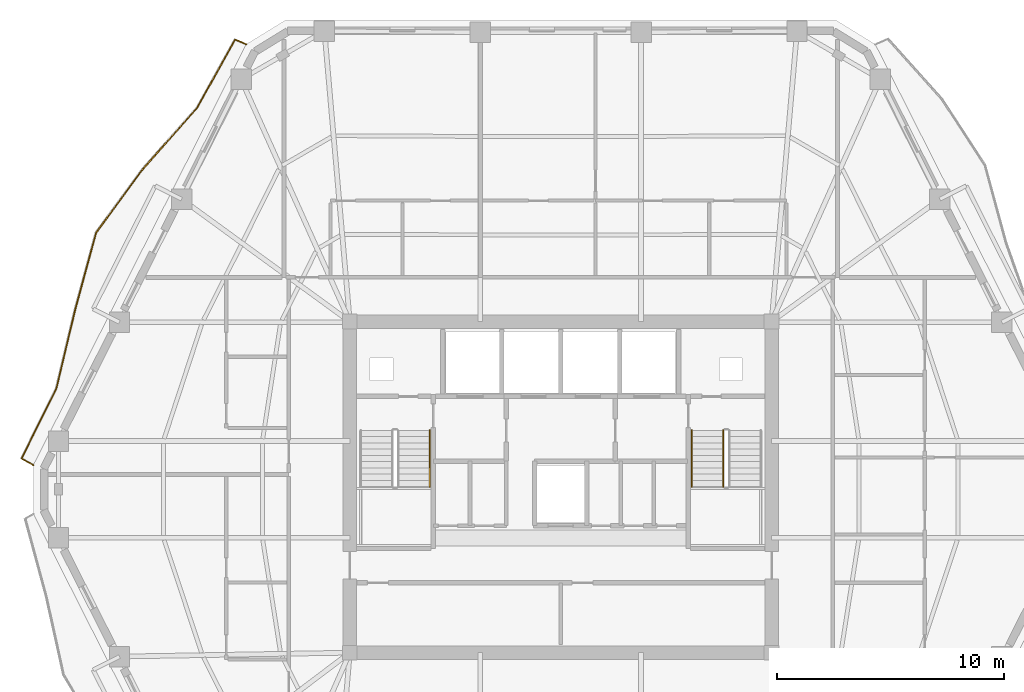
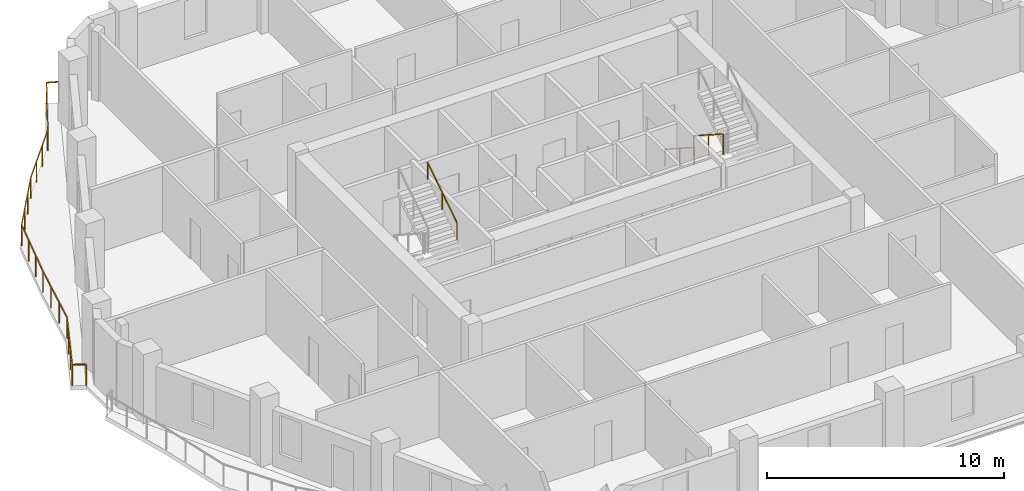
# One storey, part 10 of 12: 4 railings.
"""IFC4 building model written with IfcOpenShell, lengths in metres."""

import ifcopenshell
import ifcopenshell.guid

model = None  # the IFC model being written
_history = None  # IfcOwnerHistory: only IFC2X3 demands one
_inside = {}  # id of a spatial element -> (the spatial element, [elements in it])
_under = {}  # id of a project, library or spatial element -> (it, [spatial elements below it])
_declared = {}  # id of a project -> (the project, [libraries it declares])
_typed = {}  # id of a type object -> (the type object, [elements of that type])
_made_of = {}  # id of a material, layer set ... -> (it, [elements and type objects made of it])


def new_model(schema):
    """Start an empty IFC model of exactly this schema.

    Asked for "IFC4X3", IfcOpenShell would pick the latest addendum, in which some entities
    have other attributes; the version numbers below select the first issue.
    IFC2X3 requires an IfcOwnerHistory on every rooted entity: one is made here for all.
    """
    global model, _history
    if schema == "IFC4X3":
        model = ifcopenshell.file(schema_version=(4, 3, 0, 0))
    else:
        model = ifcopenshell.file(schema=schema)
    _inside.clear()
    _under.clear()
    _declared.clear()
    _typed.clear()
    _made_of.clear()
    _history = None
    if model.schema == "IFC2X3":
        org = make("IfcOrganization", Name="unknown")
        user = make(
            "IfcPersonAndOrganization",
            ThePerson=make("IfcPerson", FamilyName="unknown"),
            TheOrganization=org,
        )
        app = make(
            "IfcApplication",
            ApplicationDeveloper=org,
            Version="unknown",
            ApplicationFullName="unknown",
            ApplicationIdentifier="unknown",
        )
        _history = make(
            "IfcOwnerHistory",
            OwningUser=user,
            OwningApplication=app,
            ChangeAction="ADDED",
            CreationDate=0,
        )
    return model


def make(cls, **values):
    """One entity of the class cls with the attributes given. An attribute that is None is left unset."""
    return model.create_entity(
        cls, **{name: value for name, value in values.items() if value is not None}
    )


def rooted(cls, **values):
    """An entity with a GlobalId (a new one), such as an element, a storey or a relation."""
    return make(cls, GlobalId=ifcopenshell.guid.new(), OwnerHistory=_history, **values)


def si_unit(unit_type, name, prefix=None):
    """IfcSIUnit, for example si_unit("LENGTHUNIT", "METRE", prefix="MILLI")."""
    return make("IfcSIUnit", UnitType=unit_type, Prefix=prefix, Name=name)


def assignment(units):
    """IfcUnitAssignment: the units of a project."""
    return None if units is None else make("IfcUnitAssignment", Units=units)


def point(xyz):
    """IfcCartesianPoint."""
    return None if xyz is None else make("IfcCartesianPoint", Coordinates=xyz)


def direction(xyz):
    """IfcDirection."""
    return None if xyz is None else make("IfcDirection", DirectionRatios=xyz)


def frame(location, z_axis=None, x_axis=None):
    """IfcAxis2Placement3D, a coordinate frame: its origin and axes. An axis left out is left unset."""
    return make(
        "IfcAxis2Placement3D",
        Location=point(location),
        Axis=direction(z_axis),
        RefDirection=direction(x_axis),
    )


def frame_2d(location, x_axis=None):
    """IfcAxis2Placement2D, a coordinate frame in the plane: its origin and x axis."""
    return make(
        "IfcAxis2Placement2D", Location=point(location), RefDirection=direction(x_axis)
    )


def origin():
    """The frame at (0, 0, 0) with its axes left unset."""
    return frame((0.0, 0.0, 0.0))


def origin_2d():
    """The frame at (0, 0) in the plane with its x axis left unset."""
    return frame_2d((0.0, 0.0))


def place(relative_to, where):
    """IfcLocalPlacement: puts the frame where relative to a parent placement (None: the world)."""
    return make(
        "IfcLocalPlacement", PlacementRelTo=relative_to, RelativePlacement=where
    )


def context(
    kind, dimensions, precision=None, world=None, true_north=None, identifier=None
):
    """IfcGeometricRepresentationContext, for example the 3D "Model" context."""
    return make(
        "IfcGeometricRepresentationContext",
        ContextIdentifier=identifier,
        ContextType=kind,
        CoordinateSpaceDimension=dimensions,
        Precision=precision,
        WorldCoordinateSystem=world,
        TrueNorth=true_north,
    )


def subcontext(parent, identifier, kind, view, scale=None):
    """IfcGeometricRepresentationSubContext, for example "Body" below "Model"."""
    return make(
        "IfcGeometricRepresentationSubContext",
        ContextIdentifier=identifier,
        ContextType=kind,
        ParentContext=parent,
        TargetScale=scale,
        TargetView=view,
    )


def project(units=None, contexts=None):
    """IfcProject with its units and contexts."""
    return rooted(
        "IfcProject",
        Name="project",
        RepresentationContexts=contexts,
        UnitsInContext=assignment(units),
    )


def spatial(cls, under=None, at=None, **own):
    """A site, building, storey or space (cls), placed at a placement, below another one or the project."""
    s = rooted(cls, ObjectPlacement=at, **own)
    if under is not None:
        _under.setdefault(under.id(), (under, []))[1].append(s)
    return s


def profile(cls, at=None, kind="AREA", **sizes):
    """A parametric profile (cls). Its sizes go by their IFC names, for example OverallWidth=200.0."""
    return make(cls, ProfileType=kind, Position=at, **sizes)


def rectangle(**sizes):
    """IfcRectangleProfileDef."""
    return profile("IfcRectangleProfileDef", **sizes)


def extrude(swept, where, along, depth):
    """IfcExtrudedAreaSolid: the profile swept, set in the frame where, extruded along a direction by depth."""
    return make(
        "IfcExtrudedAreaSolid",
        SweptArea=swept,
        Position=where,
        ExtrudedDirection=direction(along),
        Depth=depth,
    )


def shape(context_of_items, identifier, shape_type, items):
    """IfcShapeRepresentation: the items that make up one representation, for example the "Body"."""
    return make(
        "IfcShapeRepresentation",
        ContextOfItems=context_of_items,
        RepresentationIdentifier=identifier,
        RepresentationType=shape_type,
        Items=items,
    )


def material(Name=None, Category=None):
    """IfcMaterial."""
    return make("IfcMaterial", Name=Name, Category=Category)


def made_of(thing, what):
    """Note that an element or type object is made of a material, layer set ...; save() writes the relation."""
    if what is not None:
        _made_of.setdefault(what.id(), (what, []))[1].append(thing)
    return thing


def type_object(cls, material=None, **own):
    """A type object (cls), such as IfcWallType, which elements share."""
    return made_of(rooted(cls, **own), material)


def element(
    cls,
    number,
    at=None,
    inside=None,
    cuts=None,
    type_object=None,
    material=None,
    context=None,
    identifier="Body",
    shape_type=None,
    held_by="IfcProductDefinitionShape",
    body=None,
    shapes=None,
    **own,
):
    """One element of the class cls, such as IfcWall. Its Tag is "e" and its number.

    at: its placement. inside: the storey or other place that contains it. cuts: it is an
    opening in that element (IfcRelVoidsElement). A single representation is given by context,
    identifier, shape_type and body (its items); several are given by shapes. held_by: the class
    of the entity that holds the representations. save() writes the other relations.
    """
    e = rooted(cls, Tag="e%d" % number, ObjectPlacement=at, **own)
    if body is not None:
        shapes = [shape(context, identifier, shape_type, body)]
    if shapes is not None:
        e.Representation = make(held_by, Representations=shapes)
    if inside is not None:
        _inside.setdefault(inside.id(), (inside, []))[1].append(e)
    if cuts is not None:
        rooted(
            "IfcRelVoidsElement", RelatingBuildingElement=cuts, RelatedOpeningElement=e
        )
    if type_object is not None:
        _typed.setdefault(type_object.id(), (type_object, []))[1].append(e)
    return made_of(e, material)


def aggregate(whole, parts):
    """IfcRelAggregates: a whole, such as a stair, and the parts it consists of."""
    return rooted("IfcRelAggregates", RelatingObject=whole, RelatedObjects=parts)


def save(model, path):
    """Write the relations noted so far, then the file.

    IfcRelAggregates (storeys below a building ...), IfcRelContainedInSpatialStructure (elements
    in a storey), IfcRelDefinesByType, IfcRelAssociatesMaterial and IfcRelDeclares: one each for
    every whole, place, type object, material and project.
    """
    for whole, parts in _under.values():
        aggregate(whole, parts)
    for where, things in _inside.values():
        rooted(
            "IfcRelContainedInSpatialStructure",
            RelatedElements=things,
            RelatingStructure=where,
        )
    for kind, things in _typed.values():
        rooted("IfcRelDefinesByType", RelatedObjects=things, RelatingType=kind)
    for what, things in _made_of.values():
        rooted("IfcRelAssociatesMaterial", RelatedObjects=things, RelatingMaterial=what)
    for by, libraries in _declared.values():
        rooted("IfcRelDeclares", RelatingContext=by, RelatedDefinitions=libraries)
    model.write(path)


model = new_model("IFC4")

# Units and contexts
model_context = context("Model", 3, precision=1e-05, world=origin(), true_north=direction((0.0, 1.0)))
body_context = subcontext(model_context, "Body", "Model", "MODEL_VIEW")
ifc_project = project(units=[si_unit("LENGTHUNIT", "METRE"), si_unit("AREAUNIT", "SQUARE_METRE"), si_unit("VOLUMEUNIT", "CUBIC_METRE"), si_unit("PLANEANGLEUNIT", "RADIAN"), si_unit("MASSUNIT", "GRAM", prefix="KILO")], contexts=[model_context])

# Site, building, storey
site_placement = place(None, origin())
site = spatial("IfcSite", under=ifc_project, at=site_placement, CompositionType="ELEMENT")
building_placement = place(site_placement, origin())
building = spatial("IfcBuilding", under=site, at=building_placement, Name="Cinnabar Lancet Tower", CompositionType="ELEMENT")
storey_placement = place(building_placement, frame((0.0, 0.0, 193.199951171875)))
storey = spatial("IfcBuildingStorey", under=building, at=storey_placement, Name="L51", CompositionType="ELEMENT", Elevation=193.199951171875)

# Railings
ifc_material_1 = material(Name="Laminated safety glass and bronze stainless steel balustrade", Category="steel")
railing_type_1 = type_object("IfcRailingType", Name="ENV-RLG-BAL-1100", PredefinedType="BALUSTRADE", material=ifc_material_1)
railing_1_placement = place(storey_placement, frame((18.530029296875, 45.428955078125, 0.0)))
element("IfcRailing", 1, at=railing_1_placement, inside=storey, type_object=railing_type_1, Name="L51 Face 5 Wave Balcony Balustrade", PredefinedType="BALUSTRADE", context=body_context, shape_type="SweptSolid", body=[
    extrude(rectangle(XDim=0.048095703125, YDim=0.048095703125, at=origin_2d()), frame((0.0, 0.0, 1.076171875), z_axis=(-0.917929361475, 0.396743856085, 0.0), x_axis=(-0.396743856085, -0.917929361475, 0.0)), (0.0, 0.0, 1.0), 0.53173828125),
    extrude(rectangle(XDim=0.048095703125, YDim=0.048095703125, at=origin_2d()), frame((-0.488037109375, 0.2109375, 1.076171875), z_axis=(-0.485517117955, -0.874227160509, 0.0), x_axis=(0.874227160509, -0.485517117955, 0.0)), (0.0, 0.0, 1.0), 3.460205078125),
    extrude(rectangle(XDim=0.048095703125, YDim=0.048095703125, at=origin_2d()), frame((-2.16796875, -2.81396484375, 1.076171875), z_axis=(-0.664211195559, -0.747544973693, 0.0), x_axis=(0.747544973693, -0.664211195559, 0.0)), (0.0, 0.0, 1.0), 3.57421875),
    extrude(rectangle(XDim=0.048095703125, YDim=0.048095703125, at=origin_2d()), frame((-4.5419921875, -5.48583984375, 1.076171875), z_axis=(-0.592245438416, -0.805757619061, 0.0), x_axis=(0.805757619061, -0.592245438416, 0.0)), (0.0, 0.0, 1.0), 3.50341796875),
    extrude(rectangle(XDim=0.048095703125, YDim=0.048095703125, at=origin_2d()), frame((-6.616943359375, -8.308837890625, 1.076171875), z_axis=(-0.262754350622, -0.964862762899, 0.0), x_axis=(0.964862762899, -0.262754350622, 0.0)), (0.0, 0.0, 1.0), 3.528076171875),
    extrude(rectangle(XDim=0.048095703125, YDim=0.048095703125, at=origin_2d()), frame((-7.5439453125, -11.712890625, 1.076171875), z_axis=(-0.231332571858, -0.972874730475, 0.0), x_axis=(0.972874730475, -0.231332571858, 0.0)), (0.0, 0.0, 1.0), 3.553466796875),
    extrude(rectangle(XDim=0.048095703125, YDim=0.048095703125, at=origin_2d()), frame((-8.365966796875, -15.169921875, 1.076171875), z_axis=(-0.444923951732, -0.895568354273, 0.0), x_axis=(0.895568354273, -0.444923951732, 0.0)), (0.0, 0.0, 1.0), 3.45703125),
    extrude(rectangle(XDim=0.048095703125, YDim=0.048095703125, at=origin_2d()), frame((-9.904052734375, -18.265869140625, 1.076171875), z_axis=(0.870363398591, -0.492409945466, 0.0), x_axis=(0.492409945466, 0.870363398591, 0.0)), (0.0, 0.0, 1.0), 0.593017578125),
    extrude(rectangle(XDim=0.0419921875, YDim=0.0419921875, at=origin_2d()), origin(), (0.0, 0.0, 1.0), 1.052001953125),
    extrude(rectangle(XDim=0.0419921875, YDim=0.0419921875, at=origin_2d()), frame((-0.488037109375, 0.2109375, 0.0)), (0.0, 0.0, 1.0), 1.052001953125),
    extrude(rectangle(XDim=0.0419921875, YDim=0.0419921875, at=origin_2d()), frame((-1.048095703125, -0.79736328125, 0.0)), (0.0, 0.0, 1.0), 1.052001953125),
    extrude(rectangle(XDim=0.0419921875, YDim=0.0419921875, at=origin_2d()), frame((-1.60791015625, -1.8056640625, 0.0)), (0.0, 0.0, 1.0), 1.052001953125),
    extrude(rectangle(XDim=0.0419921875, YDim=0.0419921875, at=origin_2d()), frame((-2.16796875, -2.81396484375, 0.0)), (0.0, 0.0, 1.0), 1.052001953125),
    extrude(rectangle(XDim=0.0419921875, YDim=0.0419921875, at=origin_2d()), frame((-2.959228515625, -3.70458984375, 0.0)), (0.0, 0.0, 1.0), 1.052001953125),
    extrude(rectangle(XDim=0.0419921875, YDim=0.0419921875, at=origin_2d()), frame((-3.750732421875, -4.59521484375, 0.0)), (0.0, 0.0, 1.0), 1.052001953125),
    extrude(rectangle(XDim=0.0419921875, YDim=0.0419921875, at=origin_2d()), frame((-4.5419921875, -5.48583984375, 0.0)), (0.0, 0.0, 1.0), 1.052001953125),
    extrude(rectangle(XDim=0.0419921875, YDim=0.0419921875, at=origin_2d()), frame((-5.233642578125, -6.4267578125, 0.0)), (0.0, 0.0, 1.0), 1.052001953125),
    extrude(rectangle(XDim=0.0419921875, YDim=0.0419921875, at=origin_2d()), frame((-5.92529296875, -7.367919921875, 0.0)), (0.0, 0.0, 1.0), 1.052001953125),
    extrude(rectangle(XDim=0.0419921875, YDim=0.0419921875, at=origin_2d()), frame((-6.616943359375, -8.308837890625, 0.0)), (0.0, 0.0, 1.0), 1.052001953125),
    extrude(rectangle(XDim=0.0419921875, YDim=0.0419921875, at=origin_2d()), frame((-6.926025390625, -9.443603515625, 0.0)), (0.0, 0.0, 1.0), 1.052001953125),
    extrude(rectangle(XDim=0.0419921875, YDim=0.0419921875, at=origin_2d()), frame((-7.23486328125, -10.578125, 0.0)), (0.0, 0.0, 1.0), 1.052001953125),
    extrude(rectangle(XDim=0.0419921875, YDim=0.0419921875, at=origin_2d()), frame((-7.5439453125, -11.712890625, 0.0)), (0.0, 0.0, 1.0), 1.052001953125),
    extrude(rectangle(XDim=0.0419921875, YDim=0.0419921875, at=origin_2d()), frame((-7.81787109375, -12.865234375, 0.0)), (0.0, 0.0, 1.0), 1.052001953125),
    extrude(rectangle(XDim=0.0419921875, YDim=0.0419921875, at=origin_2d()), frame((-8.092041015625, -14.017578125, 0.0)), (0.0, 0.0, 1.0), 1.052001953125),
    extrude(rectangle(XDim=0.0419921875, YDim=0.0419921875, at=origin_2d()), frame((-8.365966796875, -15.169921875, 0.0)), (0.0, 0.0, 1.0), 1.052001953125),
    extrude(rectangle(XDim=0.0419921875, YDim=0.0419921875, at=origin_2d()), frame((-8.878662109375, -16.201904296875, 0.0)), (0.0, 0.0, 1.0), 1.052001953125),
    extrude(rectangle(XDim=0.0419921875, YDim=0.0419921875, at=origin_2d()), frame((-9.391357421875, -17.23388671875, 0.0)), (0.0, 0.0, 1.0), 1.052001953125),
    extrude(rectangle(XDim=0.0419921875, YDim=0.0419921875, at=origin_2d()), frame((-9.904052734375, -18.265869140625, 0.0)), (0.0, 0.0, 1.0), 1.052001953125),
    extrude(rectangle(XDim=0.0419921875, YDim=0.0419921875, at=origin_2d()), frame((-9.387939453125, -18.557861328125, 0.0)), (0.0, 0.0, 1.0), 1.052001953125),
])
ifc_material_2 = material(Name="Painted galvanized steel balustrade", Category="steel")
railing_type_2 = type_object("IfcRailingType", Name="GUARD-STAIR", PredefinedType="GUARDRAIL", material=ifc_material_2)
railing_2_placement = place(storey_placement, frame((39.574951171875, 28.39990234375, 0.177490234375)))
element("IfcRailing", 2, at=railing_2_placement, inside=storey, type_object=railing_type_2, Name="L51 ST-2 stair guard 1", PredefinedType="GUARDRAIL", context=body_context, shape_type="SweptSolid", body=[
    extrude(rectangle(XDim=0.048095703125, YDim=0.048095703125, at=origin_2d()), frame((0.0, 0.0, 1.076171875), z_axis=(0.0, -0.84014559416, 0.542360932049), x_axis=(1.0, 0.0, 0.0)), (0.0, 0.0, 1.0), 2.94580078125),
    extrude(rectangle(XDim=0.0419921875, YDim=0.0419921875, at=origin_2d()), origin(), (0.0, 0.0, 1.0), 1.052001953125),
    extrude(rectangle(XDim=0.0419921875, YDim=0.0419921875, at=origin_2d()), frame((0.0, -1.2373046875, 0.798828125)), (0.0, 0.0, 1.0), 1.052001953125),
    extrude(rectangle(XDim=0.0419921875, YDim=0.0419921875, at=origin_2d()), frame((0.0, -2.474853515625, 1.59765625)), (0.0, 0.0, 1.0), 1.052001953125),
])
ifc_material_3 = material(Name="Brushed stainless steel handrail", Category="steel")
railing_type_3 = type_object("IfcRailingType", Name="HANDRAIL-STAIR", PredefinedType="HANDRAIL", material=ifc_material_3)
railing_3_placement = place(storey_placement, frame((26.625, 25.925048828125, 1.95263671875)))
element("IfcRailing", 3, at=railing_3_placement, inside=storey, type_object=railing_type_3, Name="L51 ST-1 stair handrail 2", PredefinedType="HANDRAIL", context=body_context, shape_type="SweptSolid", body=[
    extrude(rectangle(XDim=0.048095703125, YDim=0.048095703125, at=origin_2d()), frame((0.0, 0.0, 0.8759765625), z_axis=(0.0, 0.840183358697, 0.542302428327), x_axis=(-1.0, 0.0, 0.0)), (0.0, 0.0, 1.0), 2.945556640625),
    extrude(rectangle(XDim=0.0419921875, YDim=0.0419921875, at=origin_2d()), origin(), (0.0, 0.0, 1.0), 0.851806640625),
    extrude(rectangle(XDim=0.0419921875, YDim=0.0419921875, at=origin_2d()), frame((0.0, 1.2373046875, 0.798828125)), (0.0, 0.0, 1.0), 0.851806640625),
    extrude(rectangle(XDim=0.0419921875, YDim=0.0419921875, at=origin_2d()), frame((0.0, 2.474853515625, 1.597412109375)), (0.0, 0.0, 1.0), 0.851806640625),
])
railing_4_placement = place(storey_placement, frame((38.175048828125, 28.39990234375, 0.177490234375)))
element("IfcRailing", 4, at=railing_4_placement, inside=storey, type_object=railing_type_3, Name="L51 ST-2 stair handrail 1", PredefinedType="HANDRAIL", context=body_context, shape_type="SweptSolid", body=[
    extrude(rectangle(XDim=0.048095703125, YDim=0.048095703125, at=origin_2d()), frame((0.0, 0.0, 0.8759765625), z_axis=(0.0, -0.84014559416, 0.542360932049), x_axis=(1.0, 0.0, 0.0)), (0.0, 0.0, 1.0), 2.94580078125),
    extrude(rectangle(XDim=0.0419921875, YDim=0.0419921875, at=origin_2d()), origin(), (0.0, 0.0, 1.0), 0.851806640625),
    extrude(rectangle(XDim=0.0419921875, YDim=0.0419921875, at=origin_2d()), frame((0.0, -1.2373046875, 0.798828125)), (0.0, 0.0, 1.0), 0.851806640625),
    extrude(rectangle(XDim=0.0419921875, YDim=0.0419921875, at=origin_2d()), frame((0.0, -2.474853515625, 1.59765625)), (0.0, 0.0, 1.0), 0.851806640625),
])

save(model, "model.ifc")
